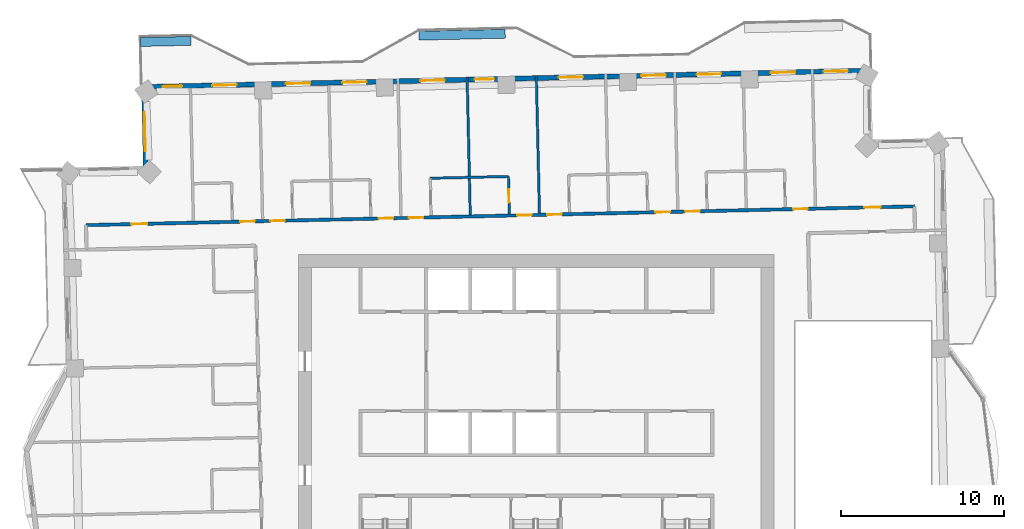
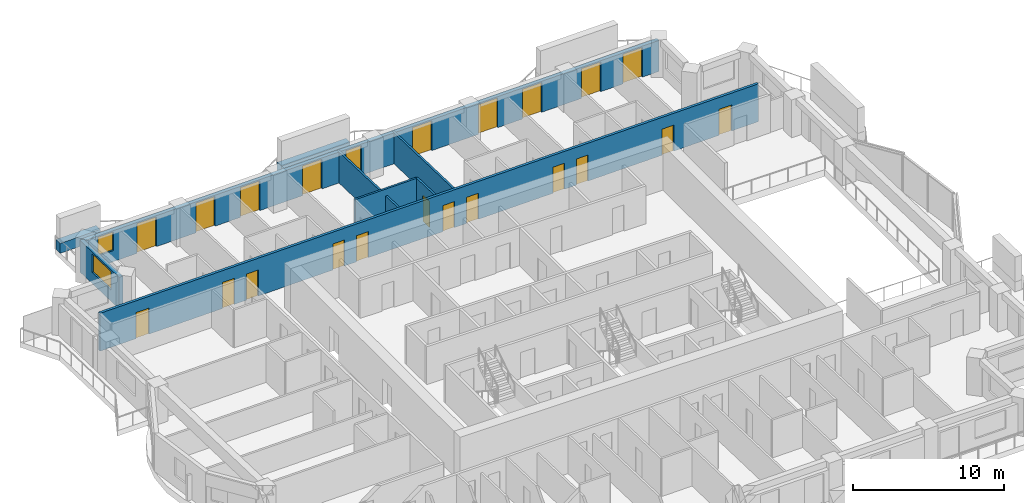
# One storey, part 11 of 17: 22 doors, 9 walls, 2 windows, 24 openings.
"""IFC4 building model written with IfcOpenShell, lengths in metres."""

from ifc_helpers import new_model, si_unit, direction, frame, frame_2d, origin, place, context, subcontext, project, spatial, rectangle, extrude, material, layer, layer_set, type_object, element, fill, save


model = new_model("IFC4")

# Units and contexts
model_context = context("Model", 3, precision=1e-05, world=origin(), true_north=direction((0.0, 1.0)))
body_context = subcontext(model_context, "Body", "Model", "MODEL_VIEW")
ifc_project = project(units=[si_unit("LENGTHUNIT", "METRE"), si_unit("AREAUNIT", "SQUARE_METRE"), si_unit("VOLUMEUNIT", "CUBIC_METRE"), si_unit("PLANEANGLEUNIT", "RADIAN"), si_unit("MASSUNIT", "GRAM", prefix="KILO")], contexts=[model_context])

# Site, building, storey
site_placement = place(None, origin())
site = spatial("IfcSite", under=ifc_project, at=site_placement, CompositionType="ELEMENT")
building_placement = place(site_placement, origin())
building = spatial("IfcBuilding", under=site, at=building_placement, Name="Mangrove Gate Tower", CompositionType="ELEMENT")
storey_placement = place(building_placement, frame((0.0, 0.0, 245.5)))
storey = spatial("IfcBuildingStorey", under=building, at=storey_placement, Name="L62", CompositionType="ELEMENT", Elevation=245.5)

# Wall, openings, doors
ifc_material_1 = material(Name="Gypsum board on steel stud, EI 60", Category="steel")
ifc_layer_1 = layer(ifc_material_1, 0.199951171875)
ifc_layer_set_1 = layer_set([ifc_layer_1], Name="Corridor wall EI 60")
wall_type_1 = type_object("IfcWallType", Name="Corridor wall EI 60", PredefinedType="PARTITIONING", material=ifc_layer_set_1)
wall_1_placement = place(storey_placement, frame((-27.652099609375, 13.4130859375, 0.0), z_axis=(0.0, 0.0, 1.0), x_axis=(0.999742864992, 0.022676064408, 0.0)))
wall_1 = element("IfcWall", 1, at=wall_1_placement, inside=storey, type_object=wall_type_1, Name="WALL-L62-058", PredefinedType="PARTITIONING", context=body_context, shape_type="SweptSolid", body=[
    extrude(rectangle(XDim=50.88232421875, YDim=0.199951171875, at=frame_2d((25.441162109375, 0.0))), origin(), (0.0, 0.0, 1.0), 3.050048828125),
])
opening_1_placement = place(wall_1_placement, frame((47.801025390625, 0.0, 0.0)))
opening_1 = element("IfcOpeningElement", 2, at=opening_1_placement, cuts=wall_1, Name="Opening AD", PredefinedType="OPENING", context=body_context, shape_type="SweptSolid", body=[
    extrude(rectangle(XDim=1.0, YDim=2.10009765625, at=frame_2d((0.5, 1.050048828125))), frame((0.0, 0.10986328125, 0.0), z_axis=(0.0, -1.0, 0.0), x_axis=(1.0, 0.0, 0.0)), (0.0, 0.0, 1.0), 0.219970703125),
])
opening_2_placement = place(wall_1_placement, frame((43.425048828125, 0.0, 0.0)))
opening_2 = element("IfcOpeningElement", 3, at=opening_2_placement, cuts=wall_1, Name="Opening BD", PredefinedType="OPENING", context=body_context, shape_type="SweptSolid", body=[
    extrude(rectangle(XDim=0.89990234375, YDim=2.10009765625, at=frame_2d((0.449951171875, 1.050048828125))), frame((0.0, 0.10986328125, 0.0), z_axis=(0.0, -1.0, 0.0), x_axis=(1.0, 0.0, 0.0)), (0.0, 0.0, 1.0), 0.219970703125),
])
opening_3_placement = place(wall_1_placement, frame((36.800048828125, 0.0, 0.0)))
opening_3 = element("IfcOpeningElement", 4, at=opening_3_placement, cuts=wall_1, Name="Opening BD", PredefinedType="OPENING", context=body_context, shape_type="SweptSolid", body=[
    extrude(rectangle(XDim=0.89990234375, YDim=2.10009765625, at=frame_2d((0.449951171875, 1.050048828125))), frame((0.0, 0.10986328125, 0.0), z_axis=(0.0, -1.0, 0.0), x_axis=(1.0, 0.0, 0.0)), (0.0, 0.0, 1.0), 0.219970703125),
])
opening_4_placement = place(wall_1_placement, frame((34.97509765625, 0.0, 0.0)))
opening_4 = element("IfcOpeningElement", 5, at=opening_4_placement, cuts=wall_1, Name="Opening BD", PredefinedType="OPENING", context=body_context, shape_type="SweptSolid", body=[
    extrude(rectangle(XDim=0.89990234375, YDim=2.10009765625, at=frame_2d((0.449951171875, 1.050048828125))), frame((0.0, 0.10986328125, 0.0), z_axis=(0.0, -1.0, 0.0), x_axis=(1.0, 0.0, 0.0)), (0.0, 0.0, 1.0), 0.219970703125),
])
opening_5_placement = place(wall_1_placement, frame((28.324951171875, 0.0, 0.0)))
opening_5 = element("IfcOpeningElement", 6, at=opening_5_placement, cuts=wall_1, Name="Opening BD", PredefinedType="OPENING", context=body_context, shape_type="SweptSolid", body=[
    extrude(rectangle(XDim=0.89990234375, YDim=2.10009765625, at=frame_2d((0.449951171875, 1.050048828125))), frame((0.0, 0.10986328125, 0.0), z_axis=(0.0, -1.0, 0.0), x_axis=(1.0, 0.0, 0.0)), (0.0, 0.0, 1.0), 0.219970703125),
])
opening_6_placement = place(wall_1_placement, frame((26.47509765625, 0.0, 0.0)))
opening_6 = element("IfcOpeningElement", 7, at=opening_6_placement, cuts=wall_1, Name="Opening BD", PredefinedType="OPENING", context=body_context, shape_type="SweptSolid", body=[
    extrude(rectangle(XDim=0.89990234375, YDim=2.10009765625, at=frame_2d((0.449951171875, 1.050048828125))), frame((0.0, 0.10986328125, 0.0), z_axis=(0.0, -1.0, 0.0), x_axis=(1.0, 0.0, 0.0)), (0.0, 0.0, 1.0), 0.219970703125),
])
opening_7_placement = place(wall_1_placement, frame((19.824951171875, 0.0, 0.0)))
opening_7 = element("IfcOpeningElement", 8, at=opening_7_placement, cuts=wall_1, Name="Opening BD", PredefinedType="OPENING", context=body_context, shape_type="SweptSolid", body=[
    extrude(rectangle(XDim=0.89990234375, YDim=2.10009765625, at=frame_2d((0.449951171875, 1.050048828125))), frame((0.0, 0.10986328125, 0.0), z_axis=(0.0, -1.0, 0.0), x_axis=(1.0, 0.0, 0.0)), (0.0, 0.0, 1.0), 0.219970703125),
])
opening_8_placement = place(wall_1_placement, frame((17.97509765625, 0.0, 0.0)))
opening_8 = element("IfcOpeningElement", 9, at=opening_8_placement, cuts=wall_1, Name="Opening BD", PredefinedType="OPENING", context=body_context, shape_type="SweptSolid", body=[
    extrude(rectangle(XDim=0.89990234375, YDim=2.10009765625, at=frame_2d((0.449951171875, 1.050048828125))), frame((0.0, 0.10986328125, 0.0), z_axis=(0.0, -1.0, 0.0), x_axis=(1.0, 0.0, 0.0)), (0.0, 0.0, 1.0), 0.219970703125),
])
opening_9_placement = place(wall_1_placement, frame((11.324951171875, 0.0, 0.0)))
opening_9 = element("IfcOpeningElement", 10, at=opening_9_placement, cuts=wall_1, Name="Opening BD", PredefinedType="OPENING", context=body_context, shape_type="SweptSolid", body=[
    extrude(rectangle(XDim=0.89990234375, YDim=2.10009765625, at=frame_2d((0.449951171875, 1.050048828125))), frame((0.0, 0.10986328125, 0.0), z_axis=(0.0, -1.0, 0.0), x_axis=(1.0, 0.0, 0.0)), (0.0, 0.0, 1.0), 0.219970703125),
])
opening_10_placement = place(wall_1_placement, frame((9.47509765625, 0.0, 0.0)))
opening_10 = element("IfcOpeningElement", 11, at=opening_10_placement, cuts=wall_1, Name="Opening BD", PredefinedType="OPENING", context=body_context, shape_type="SweptSolid", body=[
    extrude(rectangle(XDim=0.89990234375, YDim=2.10009765625, at=frame_2d((0.449951171875, 1.050048828125))), frame((0.0, 0.10986328125, 0.0), z_axis=(0.0, -1.0, 0.0), x_axis=(1.0, 0.0, 0.0)), (0.0, 0.0, 1.0), 0.219970703125),
])
opening_11_placement = place(wall_1_placement, frame((2.77197265625, 0.0, 0.0)))
opening_11 = element("IfcOpeningElement", 12, at=opening_11_placement, cuts=wall_1, Name="Opening AD", PredefinedType="OPENING", context=body_context, shape_type="SweptSolid", body=[
    extrude(rectangle(XDim=1.0, YDim=2.10009765625, at=frame_2d((0.5, 1.050048828125))), frame((0.0, 0.10986328125, 0.0), z_axis=(0.0, -1.0, 0.0), x_axis=(1.0, 0.0, 0.0)), (0.0, 0.0, 1.0), 0.219970703125),
])
ifc_material_2 = material(Name="Timber door leaf", Category="wood")
door_type_1 = type_object("IfcDoorType", Name="Amenity door 1000", OperationType="SINGLE_SWING_LEFT", PredefinedType="DOOR", material=ifc_material_2)
door_1_placement = place(opening_1_placement, origin())
door_1 = element("IfcDoor", 13, at=door_1_placement, inside=storey, type_object=door_type_1, Name="DOOR-L62-KIT-c3c", OperationType="SINGLE_SWING_LEFT", OverallHeight=2.10009765625, OverallWidth=1.0, PredefinedType="DOOR", context=body_context, shape_type="SweptSolid", body=[
    extrude(rectangle(XDim=1.0, YDim=2.10009765625, at=frame_2d((0.5, 1.050048828125))), frame((0.0, 0.02490234375, 0.0), z_axis=(0.0, -1.0, 0.0), x_axis=(1.0, 0.0, 0.0)), (0.0, 0.0, 1.0), 0.050048828125),
])
fill(opening_1, door_1)
door_2_placement = place(opening_11_placement, origin())
door_2 = element("IfcDoor", 14, at=door_2_placement, inside=storey, type_object=door_type_1, Name="DOOR-L62-STU-c5a", OperationType="SINGLE_SWING_RIGHT", OverallHeight=2.10009765625, OverallWidth=1.0, PredefinedType="DOOR", context=body_context, shape_type="SweptSolid", body=[
    extrude(rectangle(XDim=1.0, YDim=2.10009765625, at=frame_2d((0.5, 1.050048828125))), frame((0.0, 0.02490234375, 0.0), z_axis=(0.0, -1.0, 0.0), x_axis=(1.0, 0.0, 0.0)), (0.0, 0.0, 1.0), 0.050048828125),
])
fill(opening_11, door_2)
ifc_material_3 = material(Name="Timber door leaf", Category="wood")
door_type_2 = type_object("IfcDoorType", Name="Bedroom door 900", OperationType="SINGLE_SWING_LEFT", PredefinedType="DOOR", material=ifc_material_3)
door_3_placement = place(opening_2_placement, origin())
door_3 = element("IfcDoor", 15, at=door_3_placement, inside=storey, type_object=door_type_2, Name="DOOR-L62-BED-c309", OperationType="SINGLE_SWING_LEFT", OverallHeight=2.10009765625, OverallWidth=0.89990234375, PredefinedType="DOOR", context=body_context, shape_type="SweptSolid", body=[
    extrude(rectangle(XDim=0.89990234375, YDim=2.10009765625, at=frame_2d((0.449951171875, 1.050048828125))), frame((0.0, 0.02490234375, 0.0), z_axis=(0.0, -1.0, 0.0), x_axis=(1.0, 0.0, 0.0)), (0.0, 0.0, 1.0), 0.050048828125),
])
fill(opening_2, door_3)
door_4_placement = place(opening_3_placement, origin())
door_4 = element("IfcDoor", 16, at=door_4_placement, inside=storey, type_object=door_type_2, Name="DOOR-L62-BED-c310", OperationType="SINGLE_SWING_RIGHT", OverallHeight=2.10009765625, OverallWidth=0.89990234375, PredefinedType="DOOR", context=body_context, shape_type="SweptSolid", body=[
    extrude(rectangle(XDim=0.89990234375, YDim=2.10009765625, at=frame_2d((0.449951171875, 1.050048828125))), frame((0.0, 0.02490234375, 0.0), z_axis=(0.0, -1.0, 0.0), x_axis=(1.0, 0.0, 0.0)), (0.0, 0.0, 1.0), 0.050048828125),
])
fill(opening_3, door_4)
door_5_placement = place(opening_4_placement, origin())
door_5 = element("IfcDoor", 17, at=door_5_placement, inside=storey, type_object=door_type_2, Name="DOOR-L62-BED-c311", OperationType="SINGLE_SWING_LEFT", OverallHeight=2.10009765625, OverallWidth=0.89990234375, PredefinedType="DOOR", context=body_context, shape_type="SweptSolid", body=[
    extrude(rectangle(XDim=0.89990234375, YDim=2.10009765625, at=frame_2d((0.449951171875, 1.050048828125))), frame((0.0, 0.02490234375, 0.0), z_axis=(0.0, -1.0, 0.0), x_axis=(1.0, 0.0, 0.0)), (0.0, 0.0, 1.0), 0.050048828125),
])
fill(opening_4, door_5)
door_6_placement = place(opening_5_placement, origin())
door_6 = element("IfcDoor", 18, at=door_6_placement, inside=storey, type_object=door_type_2, Name="DOOR-L62-BED-c412", OperationType="SINGLE_SWING_RIGHT", OverallHeight=2.10009765625, OverallWidth=0.89990234375, PredefinedType="DOOR", context=body_context, shape_type="SweptSolid", body=[
    extrude(rectangle(XDim=0.89990234375, YDim=2.10009765625, at=frame_2d((0.449951171875, 1.050048828125))), frame((0.0, 0.02490234375, 0.0), z_axis=(0.0, -1.0, 0.0), x_axis=(1.0, 0.0, 0.0)), (0.0, 0.0, 1.0), 0.050048828125),
])
fill(opening_5, door_6)
door_7_placement = place(opening_6_placement, origin())
door_7 = element("IfcDoor", 19, at=door_7_placement, inside=storey, type_object=door_type_2, Name="DOOR-L62-BED-c413", OperationType="SINGLE_SWING_LEFT", OverallHeight=2.10009765625, OverallWidth=0.89990234375, PredefinedType="DOOR", context=body_context, shape_type="SweptSolid", body=[
    extrude(rectangle(XDim=0.89990234375, YDim=2.10009765625, at=frame_2d((0.449951171875, 1.050048828125))), frame((0.0, 0.02490234375, 0.0), z_axis=(0.0, -1.0, 0.0), x_axis=(1.0, 0.0, 0.0)), (0.0, 0.0, 1.0), 0.050048828125),
])
fill(opening_6, door_7)
door_8_placement = place(opening_7_placement, origin())
door_8 = element("IfcDoor", 20, at=door_8_placement, inside=storey, type_object=door_type_2, Name="DOOR-L62-BED-c414", OperationType="SINGLE_SWING_RIGHT", OverallHeight=2.10009765625, OverallWidth=0.89990234375, PredefinedType="DOOR", context=body_context, shape_type="SweptSolid", body=[
    extrude(rectangle(XDim=0.89990234375, YDim=2.10009765625, at=frame_2d((0.449951171875, 1.050048828125))), frame((0.0, 0.02490234375, 0.0), z_axis=(0.0, -1.0, 0.0), x_axis=(1.0, 0.0, 0.0)), (0.0, 0.0, 1.0), 0.050048828125),
])
fill(opening_7, door_8)
door_9_placement = place(opening_8_placement, origin())
door_9 = element("IfcDoor", 21, at=door_9_placement, inside=storey, type_object=door_type_2, Name="DOOR-L62-BED-c515", OperationType="SINGLE_SWING_LEFT", OverallHeight=2.10009765625, OverallWidth=0.89990234375, PredefinedType="DOOR", context=body_context, shape_type="SweptSolid", body=[
    extrude(rectangle(XDim=0.89990234375, YDim=2.10009765625, at=frame_2d((0.449951171875, 1.050048828125))), frame((0.0, 0.02490234375, 0.0), z_axis=(0.0, -1.0, 0.0), x_axis=(1.0, 0.0, 0.0)), (0.0, 0.0, 1.0), 0.050048828125),
])
fill(opening_8, door_9)
door_10_placement = place(opening_9_placement, origin())
door_10 = element("IfcDoor", 22, at=door_10_placement, inside=storey, type_object=door_type_2, Name="DOOR-L62-BED-c516", OperationType="SINGLE_SWING_RIGHT", OverallHeight=2.10009765625, OverallWidth=0.89990234375, PredefinedType="DOOR", context=body_context, shape_type="SweptSolid", body=[
    extrude(rectangle(XDim=0.89990234375, YDim=2.10009765625, at=frame_2d((0.449951171875, 1.050048828125))), frame((0.0, 0.02490234375, 0.0), z_axis=(0.0, -1.0, 0.0), x_axis=(1.0, 0.0, 0.0)), (0.0, 0.0, 1.0), 0.050048828125),
])
fill(opening_9, door_10)
door_11_placement = place(opening_10_placement, origin())
door_11 = element("IfcDoor", 23, at=door_11_placement, inside=storey, type_object=door_type_2, Name="DOOR-L62-BED-c517", OperationType="SINGLE_SWING_LEFT", OverallHeight=2.10009765625, OverallWidth=0.89990234375, PredefinedType="DOOR", context=body_context, shape_type="SweptSolid", body=[
    extrude(rectangle(XDim=0.89990234375, YDim=2.10009765625, at=frame_2d((0.449951171875, 1.050048828125))), frame((0.0, 0.02490234375, 0.0), z_axis=(0.0, -1.0, 0.0), x_axis=(1.0, 0.0, 0.0)), (0.0, 0.0, 1.0), 0.050048828125),
])
fill(opening_10, door_11)

# Wall, openings, doors, window
ifc_material_4 = material(Name="Limestone", Category="masonry")
ifc_layer_2 = layer(ifc_material_4, 0.0400390625, Name="Limestone cladding")
ifc_material_5 = material(Name="Ventilated air gap")
ifc_layer_3 = layer(ifc_material_5, 0.0400390625, Name="Ventilated cavity")
ifc_material_6 = material(Name="Mineral wool insulation")
ifc_layer_4 = layer(ifc_material_6, 0.06005859375, Name="Insulation")
ifc_material_7 = material(Name="Breather membrane")
ifc_layer_5 = layer(ifc_material_7, 0.001953125, Name="Breather membrane")
ifc_material_8 = material(Name="Concrete C20/25 blockwork", Category="masonry")
ifc_layer_6 = layer(ifc_material_8, 0.14990234375, Name="Blockwork backing wall")
ifc_material_9 = material(Name="Gypsum plaster")
ifc_layer_7 = layer(ifc_material_9, 0.008056640625, Name="Internal plaster")
ifc_layer_set_2 = layer_set([ifc_layer_2, ifc_layer_3, ifc_layer_4, ifc_layer_5, ifc_layer_6, ifc_layer_7], Name="External wall 300 limestone cladding")
wall_type_2 = type_object("IfcWallType", Name="External wall 300 limestone cladding", PredefinedType="SOLIDWALL", material=ifc_layer_set_2)
wall_2_placement = place(storey_placement, frame((20.403076171875, 22.905029296875, 0.0), z_axis=(0.0, 0.0, 1.0), x_axis=(-0.99974298964, -0.022670568288, 0.0)))
wall_2 = element("IfcWall", 24, at=wall_2_placement, inside=storey, type_object=wall_type_2, Name="WALL-L62-N5", PredefinedType="SOLIDWALL", context=body_context, shape_type="SweptSolid", body=[
    extrude(rectangle(XDim=44.508544921875, YDim=0.300048828125, at=frame_2d((22.25439453125, 0.0))), origin(), (0.0, 0.0, 1.0), 2.5),
])
opening_12_placement = place(wall_2_placement, frame((1.27197265625, 0.0, 0.0)))
opening_12 = element("IfcOpeningElement", 25, at=opening_12_placement, cuts=wall_2, Name="Opening BD1", PredefinedType="OPENING", context=body_context, shape_type="SweptSolid", body=[
    extrude(rectangle(XDim=1.5, YDim=2.39990234375, at=frame_2d((0.75, 1.199951171875))), frame((0.0, 0.159912109375, 0.0), z_axis=(0.0, -1.0, 0.0), x_axis=(1.0, 0.0, 0.0)), (0.0, 0.0, 1.0), 0.320068359375),
])
opening_13_placement = place(wall_2_placement, frame((4.5009765625, 0.0, 0.0)))
opening_13 = element("IfcOpeningElement", 26, at=opening_13_placement, cuts=wall_2, Name="Opening BD1", PredefinedType="OPENING", context=body_context, shape_type="SweptSolid", body=[
    extrude(rectangle(XDim=1.5, YDim=2.39990234375, at=frame_2d((0.75, 1.199951171875))), frame((0.0, 0.159912109375, 0.0), z_axis=(0.0, -1.0, 0.0), x_axis=(1.0, 0.0, 0.0)), (0.0, 0.0, 1.0), 0.320068359375),
])
opening_14_placement = place(wall_2_placement, frame((9.05810546875, 0.0, 0.0)))
opening_14 = element("IfcOpeningElement", 27, at=opening_14_placement, cuts=wall_2, Name="Opening BD1", PredefinedType="OPENING", context=body_context, shape_type="SweptSolid", body=[
    extrude(rectangle(XDim=1.5, YDim=2.39990234375, at=frame_2d((0.75, 1.199951171875))), frame((0.0, 0.159912109375, 0.0), z_axis=(0.0, -1.0, 0.0), x_axis=(1.0, 0.0, 0.0)), (0.0, 0.0, 1.0), 0.320068359375),
])
opening_15_placement = place(wall_2_placement, frame((12.4599609375, 0.0, 0.0)))
opening_15 = element("IfcOpeningElement", 28, at=opening_15_placement, cuts=wall_2, Name="Opening BD1", PredefinedType="OPENING", context=body_context, shape_type="SweptSolid", body=[
    extrude(rectangle(XDim=1.5, YDim=2.39990234375, at=frame_2d((0.75, 1.199951171875))), frame((0.0, 0.159912109375, 0.0), z_axis=(0.0, -1.0, 0.0), x_axis=(1.0, 0.0, 0.0)), (0.0, 0.0, 1.0), 0.320068359375),
])
opening_16_placement = place(wall_2_placement, frame((17.532958984375, 0.0, 0.0)))
opening_16 = element("IfcOpeningElement", 29, at=opening_16_placement, cuts=wall_2, Name="Opening BD1", PredefinedType="OPENING", context=body_context, shape_type="SweptSolid", body=[
    extrude(rectangle(XDim=1.5, YDim=2.39990234375, at=frame_2d((0.75, 1.199951171875))), frame((0.0, 0.159912109375, 0.0), z_axis=(0.0, -1.0, 0.0), x_axis=(1.0, 0.0, 0.0)), (0.0, 0.0, 1.0), 0.320068359375),
])
opening_17_placement = place(wall_2_placement, frame((22.992919921875, 0.0, 0.0)))
opening_17 = element("IfcOpeningElement", 30, at=opening_17_placement, cuts=wall_2, Name="Opening BD2", PredefinedType="OPENING", context=body_context, shape_type="SweptSolid", body=[
    extrude(rectangle(XDim=1.199951171875, YDim=2.39990234375, at=frame_2d((0.60009765625, 1.199951171875))), frame((0.0, 0.159912109375, 0.0), z_axis=(0.0, -1.0, 0.0), x_axis=(1.0, 0.0, 0.0)), (0.0, 0.0, 1.0), 0.320068359375),
])
opening_18_placement = place(wall_2_placement, frame((26.032958984375, 0.0, 0.0)))
opening_18 = element("IfcOpeningElement", 31, at=opening_18_placement, cuts=wall_2, Name="Opening BD1", PredefinedType="OPENING", context=body_context, shape_type="SweptSolid", body=[
    extrude(rectangle(XDim=1.5, YDim=2.39990234375, at=frame_2d((0.75, 1.199951171875))), frame((0.0, 0.159912109375, 0.0), z_axis=(0.0, -1.0, 0.0), x_axis=(1.0, 0.0, 0.0)), (0.0, 0.0, 1.0), 0.320068359375),
])
opening_19_placement = place(wall_2_placement, frame((30.826904296875, 0.0, 0.0)))
opening_19 = element("IfcOpeningElement", 32, at=opening_19_placement, cuts=wall_2, Name="Opening BD1", PredefinedType="OPENING", context=body_context, shape_type="SweptSolid", body=[
    extrude(rectangle(XDim=1.5, YDim=2.39990234375, at=frame_2d((0.75, 1.199951171875))), frame((0.0, 0.159912109375, 0.0), z_axis=(0.0, -1.0, 0.0), x_axis=(1.0, 0.0, 0.0)), (0.0, 0.0, 1.0), 0.320068359375),
])
opening_20_placement = place(wall_2_placement, frame((34.285888671875, 0.0, 0.0)))
opening_20 = element("IfcOpeningElement", 33, at=opening_20_placement, cuts=wall_2, Name="Opening BD1", PredefinedType="OPENING", context=body_context, shape_type="SweptSolid", body=[
    extrude(rectangle(XDim=1.5, YDim=2.39990234375, at=frame_2d((0.75, 1.199951171875))), frame((0.0, 0.159912109375, 0.0), z_axis=(0.0, -1.0, 0.0), x_axis=(1.0, 0.0, 0.0)), (0.0, 0.0, 1.0), 0.320068359375),
])
opening_21_placement = place(wall_2_placement, frame((38.81103515625, 0.0, 0.0)))
opening_21 = element("IfcOpeningElement", 34, at=opening_21_placement, cuts=wall_2, Name="Opening BD1", PredefinedType="OPENING", context=body_context, shape_type="SweptSolid", body=[
    extrude(rectangle(XDim=1.5, YDim=2.39990234375, at=frame_2d((0.75, 1.199951171875))), frame((0.0, 0.159912109375, 0.0), z_axis=(0.0, -1.0, 0.0), x_axis=(1.0, 0.0, 0.0)), (0.0, 0.0, 1.0), 0.320068359375),
])
opening_22_placement = place(wall_2_placement, frame((42.14794921875, 0.0, 0.89990234375)))
opening_22 = element("IfcOpeningElement", 35, at=opening_22_placement, cuts=wall_2, Name="Opening W1", PredefinedType="OPENING", context=body_context, shape_type="SweptSolid", body=[
    extrude(rectangle(XDim=1.199951171875, YDim=1.5, at=frame_2d((0.60009765625, 0.75))), frame((0.0, 0.159912109375, 0.0), z_axis=(0.0, -1.0, 0.0), x_axis=(1.0, 0.0, 0.0)), (0.0, 0.0, 1.0), 0.320068359375),
])
ifc_material_10 = material(Name="Aluminium frame with laminated clear glass", Category="aluminium")
door_type_3 = type_object("IfcDoorType", Name="Balcony sliding door 1200x2400", OperationType="SLIDING_TO_LEFT", PredefinedType="DOOR", material=ifc_material_10)
door_12_placement = place(opening_17_placement, origin())
door_12 = element("IfcDoor", 36, at=door_12_placement, inside=storey, type_object=door_type_3, Name="DOOR-L62-N5-6", OperationType="SLIDING_TO_LEFT", OverallHeight=2.39990234375, OverallWidth=1.199951171875, PredefinedType="DOOR", context=body_context, shape_type="SweptSolid", body=[
    extrude(rectangle(XDim=1.199951171875, YDim=2.39990234375, at=frame_2d((0.60009765625, 1.199951171875))), frame((0.0, 0.02490234375, 0.0), z_axis=(0.0, -1.0, 0.0), x_axis=(1.0, 0.0, 0.0)), (0.0, 0.0, 1.0), 0.050048828125),
])
fill(opening_17, door_12)
ifc_material_11 = material(Name="Aluminium frame with laminated clear glass", Category="aluminium")
door_type_4 = type_object("IfcDoorType", Name="Balcony sliding door 1500x2400", OperationType="SLIDING_TO_LEFT", PredefinedType="DOOR", material=ifc_material_11)
door_13_placement = place(opening_12_placement, origin())
door_13 = element("IfcDoor", 37, at=door_13_placement, inside=storey, type_object=door_type_4, Name="DOOR-L62-N5-1", OperationType="SLIDING_TO_LEFT", OverallHeight=2.39990234375, OverallWidth=1.5, PredefinedType="DOOR", context=body_context, shape_type="SweptSolid", body=[
    extrude(rectangle(XDim=1.5, YDim=2.39990234375, at=frame_2d((0.75, 1.199951171875))), frame((0.0, 0.02490234375, 0.0), z_axis=(0.0, -1.0, 0.0), x_axis=(1.0, 0.0, 0.0)), (0.0, 0.0, 1.0), 0.050048828125),
])
fill(opening_12, door_13)
door_14_placement = place(opening_13_placement, origin())
door_14 = element("IfcDoor", 38, at=door_14_placement, inside=storey, type_object=door_type_4, Name="DOOR-L62-N5-2", OperationType="SLIDING_TO_LEFT", OverallHeight=2.39990234375, OverallWidth=1.5, PredefinedType="DOOR", context=body_context, shape_type="SweptSolid", body=[
    extrude(rectangle(XDim=1.5, YDim=2.39990234375, at=frame_2d((0.75, 1.199951171875))), frame((0.0, 0.02490234375, 0.0), z_axis=(0.0, -1.0, 0.0), x_axis=(1.0, 0.0, 0.0)), (0.0, 0.0, 1.0), 0.050048828125),
])
fill(opening_13, door_14)
door_15_placement = place(opening_14_placement, origin())
door_15 = element("IfcDoor", 39, at=door_15_placement, inside=storey, type_object=door_type_4, Name="DOOR-L62-N5-3", OperationType="SLIDING_TO_LEFT", OverallHeight=2.39990234375, OverallWidth=1.5, PredefinedType="DOOR", context=body_context, shape_type="SweptSolid", body=[
    extrude(rectangle(XDim=1.5, YDim=2.39990234375, at=frame_2d((0.75, 1.199951171875))), frame((0.0, 0.02490234375, 0.0), z_axis=(0.0, -1.0, 0.0), x_axis=(1.0, 0.0, 0.0)), (0.0, 0.0, 1.0), 0.050048828125),
])
fill(opening_14, door_15)
door_16_placement = place(opening_15_placement, origin())
door_16 = element("IfcDoor", 40, at=door_16_placement, inside=storey, type_object=door_type_4, Name="DOOR-L62-N5-4", OperationType="SLIDING_TO_LEFT", OverallHeight=2.39990234375, OverallWidth=1.5, PredefinedType="DOOR", context=body_context, shape_type="SweptSolid", body=[
    extrude(rectangle(XDim=1.5, YDim=2.39990234375, at=frame_2d((0.75, 1.199951171875))), frame((0.0, 0.02490234375, 0.0), z_axis=(0.0, -1.0, 0.0), x_axis=(1.0, 0.0, 0.0)), (0.0, 0.0, 1.0), 0.050048828125),
])
fill(opening_15, door_16)
door_17_placement = place(opening_16_placement, origin())
door_17 = element("IfcDoor", 41, at=door_17_placement, inside=storey, type_object=door_type_4, Name="DOOR-L62-N5-5", OperationType="SLIDING_TO_LEFT", OverallHeight=2.39990234375, OverallWidth=1.5, PredefinedType="DOOR", context=body_context, shape_type="SweptSolid", body=[
    extrude(rectangle(XDim=1.5, YDim=2.39990234375, at=frame_2d((0.75, 1.199951171875))), frame((0.0, 0.02490234375, 0.0), z_axis=(0.0, -1.0, 0.0), x_axis=(1.0, 0.0, 0.0)), (0.0, 0.0, 1.0), 0.050048828125),
])
fill(opening_16, door_17)
door_18_placement = place(opening_18_placement, origin())
door_18 = element("IfcDoor", 42, at=door_18_placement, inside=storey, type_object=door_type_4, Name="DOOR-L62-N5-7", OperationType="SLIDING_TO_LEFT", OverallHeight=2.39990234375, OverallWidth=1.5, PredefinedType="DOOR", context=body_context, shape_type="SweptSolid", body=[
    extrude(rectangle(XDim=1.5, YDim=2.39990234375, at=frame_2d((0.75, 1.199951171875))), frame((0.0, 0.02490234375, 0.0), z_axis=(0.0, -1.0, 0.0), x_axis=(1.0, 0.0, 0.0)), (0.0, 0.0, 1.0), 0.050048828125),
])
fill(opening_18, door_18)
door_19_placement = place(opening_19_placement, origin())
door_19 = element("IfcDoor", 43, at=door_19_placement, inside=storey, type_object=door_type_4, Name="DOOR-L62-N5-8", OperationType="SLIDING_TO_LEFT", OverallHeight=2.39990234375, OverallWidth=1.5, PredefinedType="DOOR", context=body_context, shape_type="SweptSolid", body=[
    extrude(rectangle(XDim=1.5, YDim=2.39990234375, at=frame_2d((0.75, 1.199951171875))), frame((0.0, 0.02490234375, 0.0), z_axis=(0.0, -1.0, 0.0), x_axis=(1.0, 0.0, 0.0)), (0.0, 0.0, 1.0), 0.050048828125),
])
fill(opening_19, door_19)
door_20_placement = place(opening_20_placement, origin())
door_20 = element("IfcDoor", 44, at=door_20_placement, inside=storey, type_object=door_type_4, Name="DOOR-L62-N5-9", OperationType="SLIDING_TO_LEFT", OverallHeight=2.39990234375, OverallWidth=1.5, PredefinedType="DOOR", context=body_context, shape_type="SweptSolid", body=[
    extrude(rectangle(XDim=1.5, YDim=2.39990234375, at=frame_2d((0.75, 1.199951171875))), frame((0.0, 0.02490234375, 0.0), z_axis=(0.0, -1.0, 0.0), x_axis=(1.0, 0.0, 0.0)), (0.0, 0.0, 1.0), 0.050048828125),
])
fill(opening_20, door_20)
door_21_placement = place(opening_21_placement, origin())
door_21 = element("IfcDoor", 45, at=door_21_placement, inside=storey, type_object=door_type_4, Name="DOOR-L62-N5-10", OperationType="SLIDING_TO_LEFT", OverallHeight=2.39990234375, OverallWidth=1.5, PredefinedType="DOOR", context=body_context, shape_type="SweptSolid", body=[
    extrude(rectangle(XDim=1.5, YDim=2.39990234375, at=frame_2d((0.75, 1.199951171875))), frame((0.0, 0.02490234375, 0.0), z_axis=(0.0, -1.0, 0.0), x_axis=(1.0, 0.0, 0.0)), (0.0, 0.0, 1.0), 0.050048828125),
])
fill(opening_21, door_21)
ifc_material_12 = material(Name="Aluminium frame with double-glazed low-e glass", Category="aluminium")
window_type_1 = type_object("IfcWindowType", Name="Side lite 1200x1500", PartitioningType="SINGLE_PANEL", PredefinedType="WINDOW", material=ifc_material_12)
window_1_placement = place(opening_22_placement, origin())
window_1 = element("IfcWindow", 46, at=window_1_placement, inside=storey, type_object=window_type_1, Name="WIN-L62-N5-11", OverallHeight=1.5, OverallWidth=1.199951171875, PartitioningType="SINGLE_PANEL", PredefinedType="WINDOW", context=body_context, shape_type="SweptSolid", body=[
    extrude(rectangle(XDim=1.199951171875, YDim=1.5, at=frame_2d((0.60009765625, 0.75))), frame((0.0, 0.030029296875, 0.0), z_axis=(0.0, -1.0, 0.0), x_axis=(1.0, 0.0, 0.0)), (0.0, 0.0, 1.0), 0.06005859375),
])
fill(opening_22, window_1)

# Wall, opening, window
wall_3_placement = place(storey_placement, frame((-24.093994140625, 21.89599609375, 0.0), z_axis=(0.0, 0.0, 1.0), x_axis=(0.022606059803, -0.999744450377, 0.0)))
wall_3 = element("IfcWall", 47, at=wall_3_placement, inside=storey, type_object=wall_type_2, Name="WALL-L62-W6", PredefinedType="SOLIDWALL", context=body_context, shape_type="SweptSolid", body=[
    extrude(rectangle(XDim=5.000244140625, YDim=0.300048828125, at=frame_2d((2.5, 0.0))), origin(), (0.0, 0.0, 1.0), 2.550048828125),
])
opening_23_placement = place(wall_3_placement, frame((1.547119140625, 0.0, 0.89990234375)))
opening_23 = element("IfcOpeningElement", 48, at=opening_23_placement, cuts=wall_3, Name="Opening W2", PredefinedType="OPENING", context=body_context, shape_type="SweptSolid", body=[
    extrude(rectangle(XDim=2.39990234375, YDim=1.5, at=frame_2d((1.199951171875, 0.75))), frame((0.0, 0.159912109375, 0.0), z_axis=(0.0, -1.0, 0.0), x_axis=(1.0, 0.0, 0.0)), (0.0, 0.0, 1.0), 0.320068359375),
])
ifc_material_13 = material(Name="Aluminium frame with double-glazed low-e glass", Category="aluminium")
window_type_2 = type_object("IfcWindowType", Name="Corner room window 2400x1500", PartitioningType="DOUBLE_PANEL_VERTICAL", PredefinedType="WINDOW", material=ifc_material_13)
window_2_placement = place(opening_23_placement, origin())
window_2 = element("IfcWindow", 49, at=window_2_placement, inside=storey, type_object=window_type_2, Name="WIN-L62-W6-1", OverallHeight=1.5, OverallWidth=2.39990234375, PartitioningType="DOUBLE_PANEL_VERTICAL", PredefinedType="WINDOW", context=body_context, shape_type="SweptSolid", body=[
    extrude(rectangle(XDim=2.39990234375, YDim=1.5, at=frame_2d((1.199951171875, 0.75))), frame((0.0, 0.030029296875, 0.0), z_axis=(0.0, -1.0, 0.0), x_axis=(1.0, 0.0, 0.0)), (0.0, 0.0, 1.0), 0.06005859375),
])
fill(opening_23, window_2)

# Wall
ifc_material_14 = material(Name="Gypsum board on steel stud, EI 60", Category="steel")
ifc_layer_8 = layer(ifc_material_14, 0.14990234375)
ifc_layer_set_3 = layer_set([ifc_layer_8], Name="Party wall 150 EI 60")
wall_type_3 = type_object("IfcWallType", Name="Party wall 150 EI 60", PredefinedType="PARTITIONING", material=ifc_layer_set_3)
wall_4_placement = place(storey_placement, frame((-4.056884765625, 14.048095703125, 0.0), z_axis=(0.0, 0.0, 1.0), x_axis=(-0.022622304913, 0.999744082913, 0.0)))
element("IfcWall", 50, at=wall_4_placement, inside=storey, type_object=wall_type_3, Name="WALL-L62-067", PredefinedType="PARTITIONING", context=body_context, shape_type="SweptSolid", body=[
    extrude(rectangle(XDim=8.4501953125, YDim=0.14990234375, at=frame_2d((4.22509765625, 0.0))), origin(), (0.0, 0.0, 1.0), 2.5),
])

# Wall, opening, door
wall_5_placement = place(storey_placement, frame((-1.656982421875, 14.10302734375, 0.0), z_axis=(0.0, 0.0, 1.0), x_axis=(-0.023037316498, 0.999734605807, 0.0)))
wall_5 = element("IfcWall", 51, at=wall_5_placement, inside=storey, type_object=wall_type_3, Name="WALL-L62-068", PredefinedType="PARTITIONING", context=body_context, shape_type="SweptSolid", body=[
    extrude(rectangle(XDim=2.299560546875, YDim=0.14990234375, at=frame_2d((1.14990234375, 0.0))), origin(), (0.0, 0.0, 1.0), 3.050048828125),
])
opening_24_placement = place(wall_5_placement, frame((0.699951171875, 0.0, 0.0)))
opening_24 = element("IfcOpeningElement", 52, at=opening_24_placement, cuts=wall_5, Name="Opening ED", PredefinedType="OPENING", context=body_context, shape_type="SweptSolid", body=[
    extrude(rectangle(XDim=0.800048828125, YDim=2.10009765625, at=frame_2d((0.39990234375, 1.050048828125))), frame((0.0, 0.0849609375, 0.0), z_axis=(0.0, -1.0, 0.0), x_axis=(1.0, 0.0, 0.0)), (0.0, 0.0, 1.0), 0.169921875),
])
ifc_material_15 = material(Name="Timber door leaf", Category="wood")
door_type_5 = type_object("IfcDoorType", Name="En-suite door 800", OperationType="SINGLE_SWING_LEFT", PredefinedType="DOOR", material=ifc_material_15)
door_22_placement = place(opening_24_placement, origin())
door_22 = element("IfcDoor", 53, at=door_22_placement, inside=storey, type_object=door_type_5, Name="DOOR-L62-ENS-c413", OperationType="SINGLE_SWING_LEFT", OverallHeight=2.10009765625, OverallWidth=0.800048828125, PredefinedType="DOOR", context=body_context, shape_type="SweptSolid", body=[
    extrude(rectangle(XDim=0.800048828125, YDim=2.10009765625, at=frame_2d((0.39990234375, 1.050048828125))), frame((0.0, 0.02490234375, 0.0), z_axis=(0.0, -1.0, 0.0), x_axis=(1.0, 0.0, 0.0)), (0.0, 0.0, 1.0), 0.050048828125),
])
fill(opening_24, door_22)

# Walls
wall_6_placement = place(storey_placement, frame((0.19189453125, 14.14501953125, 0.0), z_axis=(0.0, 0.0, 1.0), x_axis=(-0.022708935798, 0.999742118866, 0.0)))
element("IfcWall", 54, at=wall_6_placement, inside=storey, type_object=wall_type_3, Name="WALL-L62-069", PredefinedType="PARTITIONING", context=body_context, shape_type="SweptSolid", body=[
    extrude(rectangle(XDim=8.4501953125, YDim=0.14990234375, at=frame_2d((4.22509765625, 0.0))), origin(), (0.0, 0.0, 1.0), 2.5),
])
wall_7_placement = place(storey_placement, frame((-6.511962890625, 16.29296875, 0.0), z_axis=(0.0, 0.0, 1.0), x_axis=(0.999741415159, 0.022739894798, 0.0)))
element("IfcWall", 55, at=wall_7_placement, inside=storey, type_object=wall_type_3, Name="WALL-L62-080", PredefinedType="PARTITIONING", context=body_context, shape_type="SweptSolid", body=[
    extrude(rectangle(XDim=4.799072265625, YDim=0.14990234375, at=frame_2d((2.3994140625, 0.0))), origin(), (0.0, 0.0, 1.0), 3.050048828125),
])
ifc_material_16 = material(Name="Concrete C32/40", Category="concrete")
ifc_layer_9 = layer(ifc_material_16, 0.199951171875, Name="Planter trough wall")
ifc_material_17 = material(Name="Bituminous waterproofing membrane")
ifc_layer_10 = layer(ifc_material_17, 0.0048828125, Name="Waterproofing")
ifc_material_18 = material(Name="Drainage board and gravel")
ifc_layer_11 = layer(ifc_material_18, 0.044921875, Name="Drainage layer")
ifc_material_19 = material(Name="Planting soil")
ifc_layer_12 = layer(ifc_material_19, 0.300048828125, Name="Growing medium")
ifc_layer_set_4 = layer_set([ifc_layer_9, ifc_layer_10, ifc_layer_11, ifc_layer_12], Name="Planter wall 550 C32/40")
wall_type_4 = type_object("IfcWallType", Name="Planter wall 550 C32/40", PredefinedType="USERDEFINED", material=ifc_layer_set_4)
wall_8_placement = place(storey_placement, frame((-24.306884765625, 24.656982421875, 0.0), z_axis=(0.0, 0.0, 1.0), x_axis=(0.999745114593, 0.022576665976, 0.0)))
element("IfcWall", 56, at=wall_8_placement, inside=storey, type_object=wall_type_4, Name="PLANTER L62 N1.1", ObjectType="PLANTER", PredefinedType="USERDEFINED", context=body_context, shape_type="SweptSolid", body=[
    extrude(rectangle(XDim=3.103515625, YDim=0.550048828125, at=frame_2d((1.5517578125, 0.0))), origin(), (0.0, 0.0, 1.0), 0.800048828125),
])
wall_9_placement = place(storey_placement, frame((-7.20703125, 25.044921875, 0.0), z_axis=(0.0, 0.0, 1.0), x_axis=(0.999743094541, 0.022665941778, 0.0)))
element("IfcWall", 57, at=wall_9_placement, inside=storey, type_object=wall_type_4, Name="PLANTER L62 N1.2", ObjectType="PLANTER", PredefinedType="USERDEFINED", context=body_context, shape_type="SweptSolid", body=[
    extrude(rectangle(XDim=5.299560546875, YDim=0.550048828125, at=frame_2d((2.64990234375, 0.0))), origin(), (0.0, 0.0, 1.0), 0.800048828125),
])

save(model, "model.ifc")
